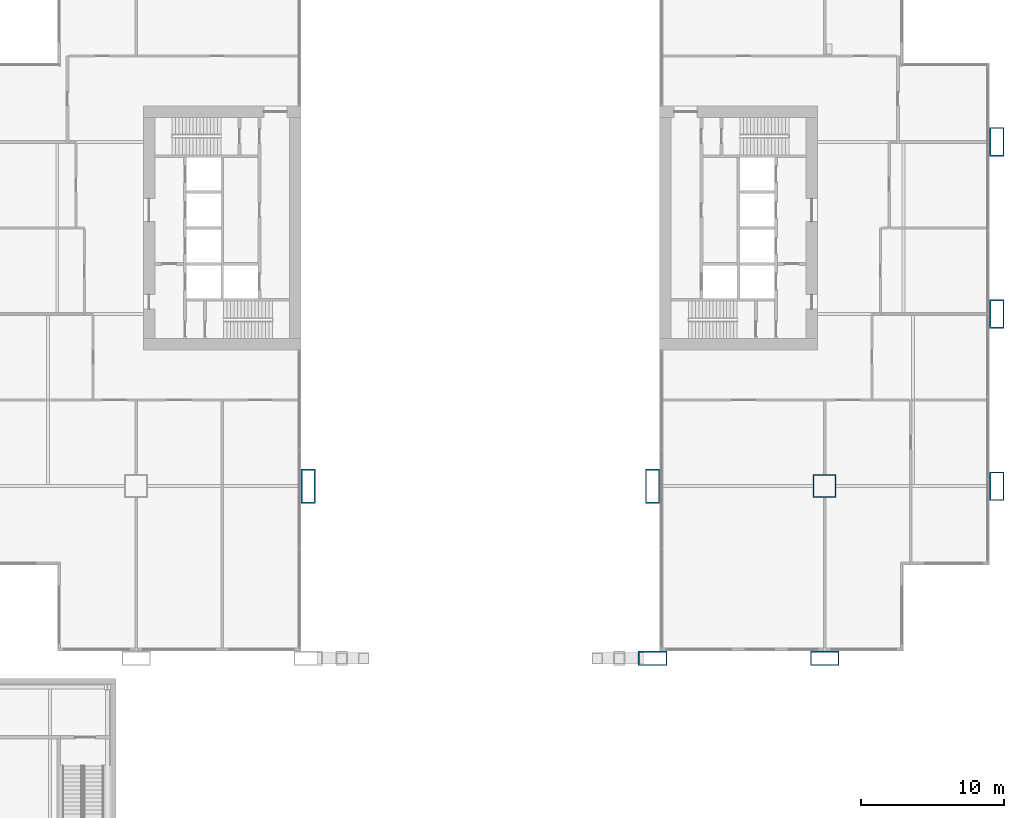
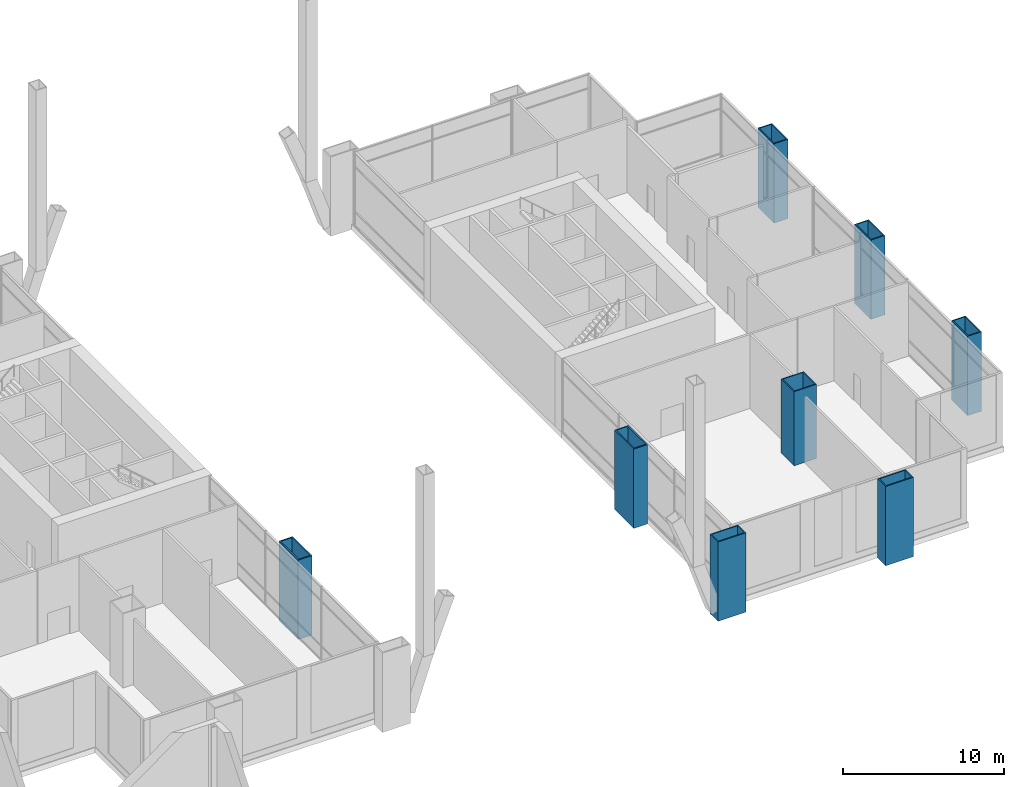
# One storey, part 4 of 30: 8 columns.
"""IFC4 building model written with IfcOpenShell, lengths in metres."""

from ifc_helpers import new_model, si_unit, direction, frame, origin, origin_2d, place, context, subcontext, project, spatial, hollow_rectangle, extrude, material, material_profile, profile_set, type_object, element, save


model = new_model("IFC4")

# Units and contexts
model_context = context("Model", 3, precision=1e-05, world=origin(), true_north=direction((0.0, 1.0)))
body_context = subcontext(model_context, "Body", "Model", "MODEL_VIEW")
ifc_project = project(units=[si_unit("LENGTHUNIT", "METRE"), si_unit("AREAUNIT", "SQUARE_METRE"), si_unit("VOLUMEUNIT", "CUBIC_METRE"), si_unit("PLANEANGLEUNIT", "RADIAN"), si_unit("MASSUNIT", "GRAM", prefix="KILO")], contexts=[model_context])

# Site, building, storey
site_placement = place(None, origin())
site = spatial("IfcSite", under=ifc_project, at=site_placement, CompositionType="ELEMENT")
building_placement = place(site_placement, origin())
building = spatial("IfcBuilding", under=site, at=building_placement, Name="Kitamizu Gate Tower and Museum", CompositionType="ELEMENT")
storey_placement = place(building_placement, frame((0.0, 0.0, 6.0)))
storey = spatial("IfcBuildingStorey", under=building, at=storey_placement, Name="L01", CompositionType="ELEMENT", Elevation=6.0)

# Columns
ifc_material_1 = material(Name="Steel SM490A bronze coated", Category="steel")
ifc_material_profile_1 = material_profile(ifc_material_1, hollow_rectangle(XDim=2.39990234375, YDim=1.0, WallThickness=0.090087890625, at=origin_2d()), Name="BOX 2400x1000x90")
ifc_profile_set_1 = profile_set([ifc_material_profile_1], Name="Steel SM490A bronze coated")
column_type_1 = type_object("IfcColumnType", Name="Arch jamb column JC1 BOX 2400x1000x90", PredefinedType="COLUMN", material=ifc_profile_set_1)
for number, where, z_axis, x_axis, name in (
    (1, (24.0, 12.0, -0.39990234375), (0.0, 0.0, 1.0), (0.0, 1.0, 0.0), "Column JC1 3B L01"),
    (2, (48.0, 12.0, -0.39990234375), (0.0, 0.0, 1.0), (0.0, 1.0, 0.0), "Column JC1 5B L01"),
):
    element("IfcColumn", number, at=place(storey_placement, frame(where, z_axis=z_axis, x_axis=x_axis)), inside=storey, type_object=column_type_1, Name=name, PredefinedType="COLUMN", context=body_context, shape_type="SweptSolid", body=[
        extrude(hollow_rectangle(XDim=2.39990234375, YDim=1.0, WallThickness=0.090087890625, at=origin_2d()), origin(), (0.0, 0.0, 1.0), 6.0),
    ])
ifc_material_2 = material(Name="Steel SM490A", Category="steel")
ifc_material_profile_2 = material_profile(ifc_material_2, hollow_rectangle(XDim=1.60009765625, YDim=1.60009765625, WallThickness=0.070068359375, at=origin_2d()), Name="BOX 1600x1600x70")
ifc_profile_set_2 = profile_set([ifc_material_profile_2], Name="Steel SM490A")
column_type_2 = type_object("IfcColumnType", Name="Interior column IC1 BOX 1600x1600x70", PredefinedType="COLUMN", material=ifc_profile_set_2)
column_placement = place(storey_placement, frame((60.0, 12.0, 0.0), z_axis=(0.0, 0.0, 1.0), x_axis=(1.0, 0.0, 0.0)))
element("IfcColumn", 3, at=column_placement, inside=storey, type_object=column_type_2, Name="Column IC1 6B L01", PredefinedType="COLUMN", context=body_context, shape_type="SweptSolid", body=[
    extrude(hollow_rectangle(XDim=1.60009765625, YDim=1.60009765625, WallThickness=0.070068359375, at=origin_2d()), origin(), (0.0, 0.0, 1.0), 5.60009765625),
])
ifc_material_3 = material(Name="Steel SM490A bronze coated", Category="steel")
ifc_material_profile_3 = material_profile(ifc_material_3, hollow_rectangle(XDim=2.0, YDim=1.0, WallThickness=0.080078125, at=origin_2d()), Name="BOX 2000x1000x80")
ifc_profile_set_3 = profile_set([ifc_material_profile_3], Name="Steel SM490A bronze coated")
column_type_3 = type_object("IfcColumnType", Name="Podium leg column LC1 BOX 2000x1000x80", PredefinedType="COLUMN", material=ifc_profile_set_3)
for number, where, z_axis, x_axis, name in (
    (4, (48.0, 0.0, -0.39990234375), (0.0, 0.0, 1.0), (1.0, 0.0, 0.0), "Column LC1 5A L01"),
    (5, (60.0, 0.0, -0.39990234375), (0.0, 0.0, 1.0), (1.0, 0.0, 0.0), "Column LC1 6A L01"),
    (6, (72.0, 12.0, -0.39990234375), (0.0, 0.0, 1.0), (0.0, 1.0, 0.0), "Column LC1 7B L01"),
    (7, (72.0, 24.0, -0.39990234375), (0.0, 0.0, 1.0), (0.0, 1.0, 0.0), "Column LC1 7C L01"),
    (8, (72.0, 36.0, -0.39990234375), (0.0, 0.0, 1.0), (0.0, 1.0, 0.0), "Column LC1 7D L01"),
):
    element("IfcColumn", number, at=place(storey_placement, frame(where, z_axis=z_axis, x_axis=x_axis)), inside=storey, type_object=column_type_3, Name=name, PredefinedType="COLUMN", context=body_context, shape_type="SweptSolid", body=[
        extrude(hollow_rectangle(XDim=2.0, YDim=1.0, WallThickness=0.080078125, at=origin_2d()), origin(), (0.0, 0.0, 1.0), 6.0),
    ])

save(model, "model.ifc")
